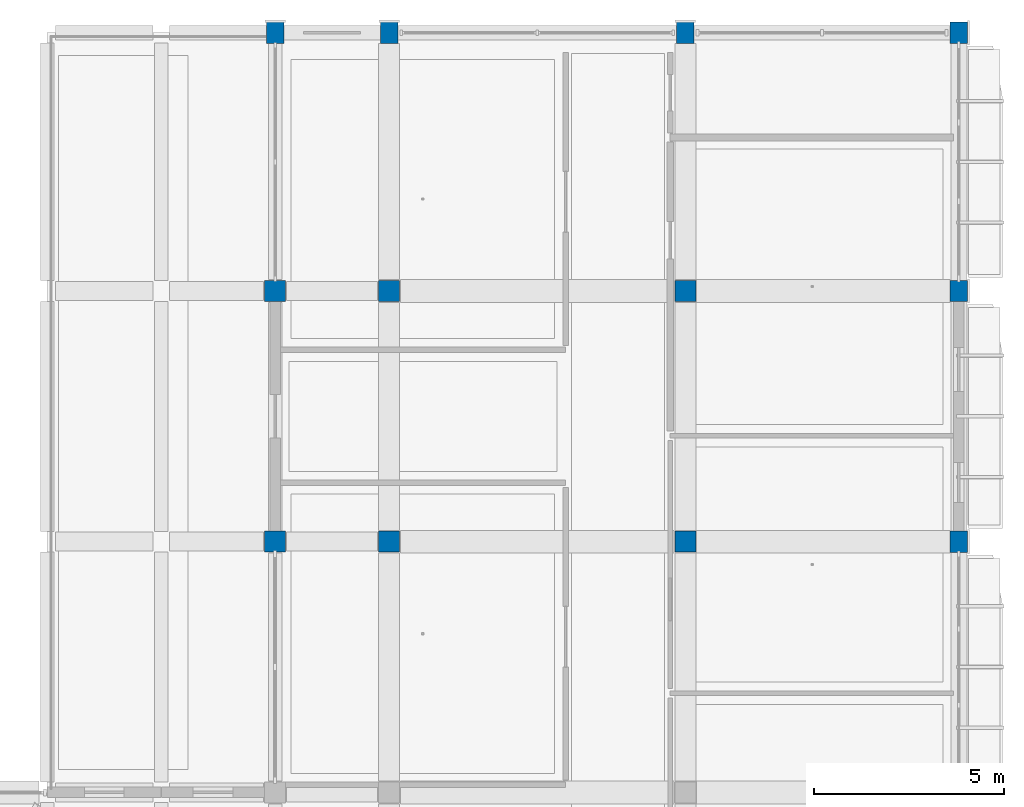
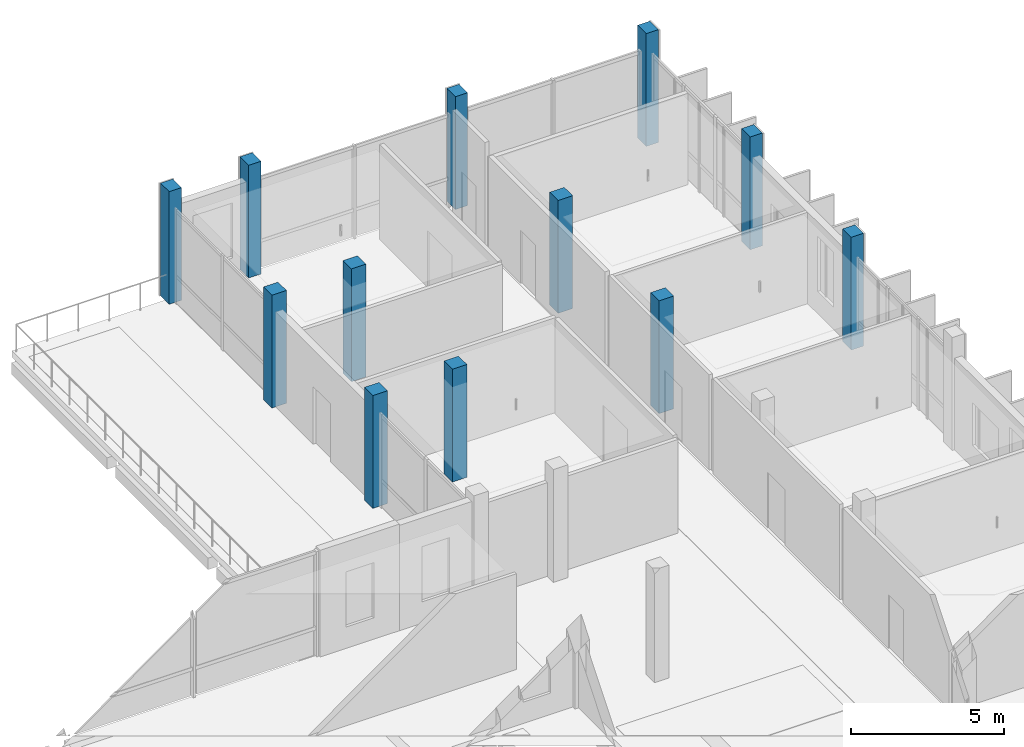
# One storey, part 17 of 95: 12 columns.
"""IFC4 building model written with IfcOpenShell, lengths in metres."""

from ifc_helpers import new_model, si_unit, derived_unit, direction, frame, origin, origin_2d, place, context, subcontext, project, spatial, rectangle, extrude, material, material_profile, profile_set, type_object, element, save


model = new_model("IFC4")

# Units and contexts
model_context = context("Model", 3, precision=1e-05, world=origin(), true_north=direction((0.0, 1.0)))
body_context = subcontext(model_context, "Body", "Model", "MODEL_VIEW")
ifc_project = project(units=[si_unit("LENGTHUNIT", "METRE"), si_unit("AREAUNIT", "SQUARE_METRE"), si_unit("VOLUMEUNIT", "CUBIC_METRE"), si_unit("PLANEANGLEUNIT", "RADIAN"), si_unit("MASSUNIT", "GRAM", prefix="KILO"), derived_unit("THERMALTRANSMITTANCEUNIT", [(si_unit("POWERUNIT", "WATT"), 1), (si_unit("LENGTHUNIT", "METRE"), -2), (si_unit("THERMODYNAMICTEMPERATUREUNIT", "KELVIN"), -1)])], contexts=[model_context])

# Site, building, storey
site_placement = place(None, origin())
site = spatial("IfcSite", under=ifc_project, at=site_placement, CompositionType="ELEMENT")
building_placement = place(site_placement, origin())
building = spatial("IfcBuilding", under=site, at=building_placement, Name="Braskholm Square Health Centre", CompositionType="ELEMENT")
storey_placement = place(building_placement, frame((0.0, 0.0, 4.800048828125)))
storey = spatial("IfcBuildingStorey", under=building, at=storey_placement, Name="L02", CompositionType="ELEMENT", Elevation=4.800048828125)

# Columns
ifc_material_1 = material(Name="Concrete C40/50 (f'c = 40 MPa)", Category="concrete")
ifc_material_profile_1 = material_profile(ifc_material_1, rectangle(XDim=0.550048828125, YDim=0.550048828125, at=origin_2d()), Name="RC-550X550")
ifc_profile_set_1 = profile_set([ifc_material_profile_1], Name="Concrete C40/50 (f'c = 40 MPa)")
column_type_1 = type_object("IfcColumnType", Name="ColInteriorMid550", PredefinedType="COLUMN", material=ifc_profile_set_1)
for number, where, z_axis, x_axis, name in (
    (1, (145.800048828125, 100.39990234375, 0.0), (0.0, 0.0, 1.0), (1.0, 0.0, 0.0), "Column 19/Q L02"),
    (2, (145.800048828125, 107.0, 0.0), (0.0, 0.0, 1.0), (1.0, 0.0, 0.0), "Column 19/R L02"),
    (3, (148.800048828125, 100.39990234375, 0.0), (0.0, 0.0, 1.0), (1.0, 0.0, 0.0), "Column 20/Q L02"),
    (4, (148.800048828125, 107.0, 0.0), (0.0, 0.0, 1.0), (1.0, 0.0, 0.0), "Column 20/R L02"),
    (5, (156.60009765625, 100.39990234375, 0.0), (0.0, 0.0, 1.0), (1.0, 0.0, 0.0), "Column 21/Q L02"),
    (6, (156.60009765625, 107.0, 0.0), (0.0, 0.0, 1.0), (1.0, 0.0, 0.0), "Column 21/R L02"),
):
    element("IfcColumn", number, at=place(storey_placement, frame(where, z_axis=z_axis, x_axis=x_axis)), inside=storey, type_object=column_type_1, Name=name, PredefinedType="COLUMN", context=body_context, shape_type="SweptSolid", body=[
        extrude(rectangle(XDim=0.550048828125, YDim=0.550048828125, at=origin_2d()), origin(), (0.0, 0.0, 1.0), 4.5),
    ])
ifc_material_2 = material(Name="Precast concrete C40/50 architectural white", Category="concrete")
ifc_material_profile_2 = material_profile(ifc_material_2, rectangle(XDim=0.4599609375, YDim=0.56005859375, at=origin_2d()), Name="RC-460X560")
ifc_profile_set_2 = profile_set([ifc_material_profile_2], Name="Precast concrete C40/50 architectural white")
column_type_2 = type_object("IfcColumnType", Name="ColPrecastFrame460x560", PredefinedType="COLUMN", material=ifc_profile_set_2)
for number, where, z_axis, x_axis, name in (
    (7, (145.800048828125, 113.800048828125, 0.0), (0.0, 0.0, 1.0), (1.0, 0.0, 0.0), "Column 19/S L02"),
    (8, (148.800048828125, 113.800048828125, 0.0), (0.0, 0.0, 1.0), (1.0, 0.0, 0.0), "Column 20/S L02"),
    (9, (156.60009765625, 113.800048828125, 0.0), (0.0, 0.0, 1.0), (1.0, 0.0, 0.0), "Column 21/S L02"),
    (10, (163.800048828125, 100.39990234375, 0.0), (0.0, 0.0, 1.0), (1.0, 0.0, 0.0), "Column 22/Q L02"),
    (11, (163.800048828125, 107.0, 0.0), (0.0, 0.0, 1.0), (1.0, 0.0, 0.0), "Column 22/R L02"),
    (12, (163.800048828125, 113.800048828125, 0.0), (0.0, 0.0, 1.0), (1.0, 0.0, 0.0), "Column 22/S L02"),
):
    element("IfcColumn", number, at=place(storey_placement, frame(where, z_axis=z_axis, x_axis=x_axis)), inside=storey, type_object=column_type_2, Name=name, PredefinedType="COLUMN", context=body_context, shape_type="SweptSolid", body=[
        extrude(rectangle(XDim=0.4599609375, YDim=0.56005859375, at=origin_2d()), origin(), (0.0, 0.0, 1.0), 4.5),
    ])

save(model, "model.ifc")
